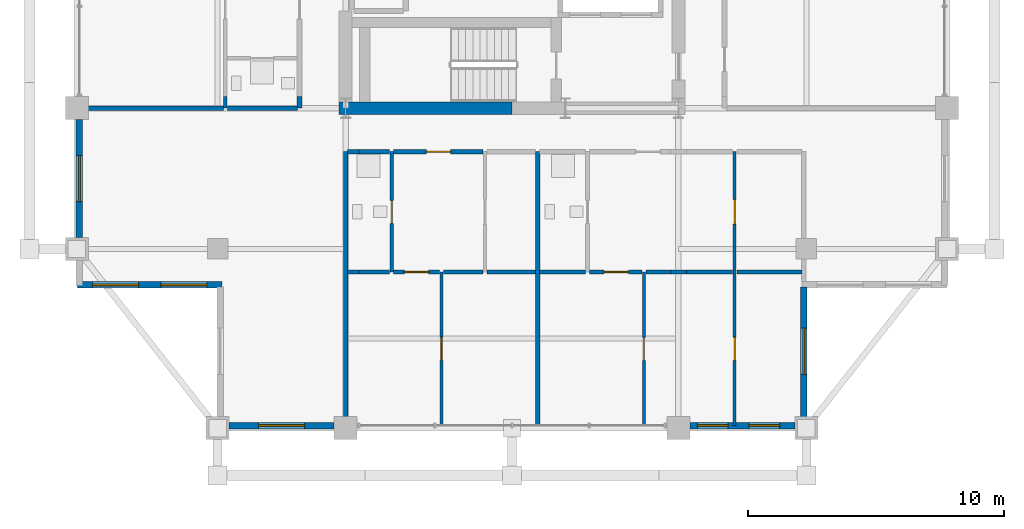
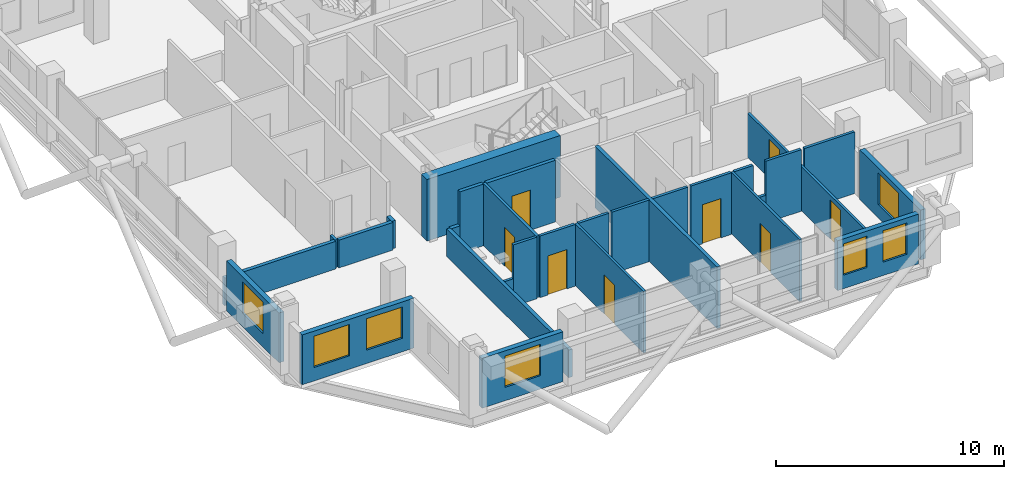
# One storey, part 19 of 25: 30 walls, 8 doors, 7 windows, 15 openings.
"""IFC4 building model written with IfcOpenShell, lengths in metres."""

import ifcopenshell
import ifcopenshell.guid

model = None  # the IFC model being written
_history = None  # IfcOwnerHistory: only IFC2X3 demands one
_inside = {}  # id of a spatial element -> (the spatial element, [elements in it])
_under = {}  # id of a project, library or spatial element -> (it, [spatial elements below it])
_declared = {}  # id of a project -> (the project, [libraries it declares])
_typed = {}  # id of a type object -> (the type object, [elements of that type])
_made_of = {}  # id of a material, layer set ... -> (it, [elements and type objects made of it])


def new_model(schema):
    """Start an empty IFC model of exactly this schema.

    Asked for "IFC4X3", IfcOpenShell would pick the latest addendum, in which some entities
    have other attributes; the version numbers below select the first issue.
    IFC2X3 requires an IfcOwnerHistory on every rooted entity: one is made here for all.
    """
    global model, _history
    if schema == "IFC4X3":
        model = ifcopenshell.file(schema_version=(4, 3, 0, 0))
    else:
        model = ifcopenshell.file(schema=schema)
    _inside.clear()
    _under.clear()
    _declared.clear()
    _typed.clear()
    _made_of.clear()
    _history = None
    if model.schema == "IFC2X3":
        org = make("IfcOrganization", Name="unknown")
        user = make(
            "IfcPersonAndOrganization",
            ThePerson=make("IfcPerson", FamilyName="unknown"),
            TheOrganization=org,
        )
        app = make(
            "IfcApplication",
            ApplicationDeveloper=org,
            Version="unknown",
            ApplicationFullName="unknown",
            ApplicationIdentifier="unknown",
        )
        _history = make(
            "IfcOwnerHistory",
            OwningUser=user,
            OwningApplication=app,
            ChangeAction="ADDED",
            CreationDate=0,
        )
    return model


def make(cls, **values):
    """One entity of the class cls with the attributes given. An attribute that is None is left unset."""
    return model.create_entity(
        cls, **{name: value for name, value in values.items() if value is not None}
    )


def rooted(cls, **values):
    """An entity with a GlobalId (a new one), such as an element, a storey or a relation."""
    return make(cls, GlobalId=ifcopenshell.guid.new(), OwnerHistory=_history, **values)


def si_unit(unit_type, name, prefix=None):
    """IfcSIUnit, for example si_unit("LENGTHUNIT", "METRE", prefix="MILLI")."""
    return make("IfcSIUnit", UnitType=unit_type, Prefix=prefix, Name=name)


def assignment(units):
    """IfcUnitAssignment: the units of a project."""
    return None if units is None else make("IfcUnitAssignment", Units=units)


def point(xyz):
    """IfcCartesianPoint."""
    return None if xyz is None else make("IfcCartesianPoint", Coordinates=xyz)


def direction(xyz):
    """IfcDirection."""
    return None if xyz is None else make("IfcDirection", DirectionRatios=xyz)


def frame(location, z_axis=None, x_axis=None):
    """IfcAxis2Placement3D, a coordinate frame: its origin and axes. An axis left out is left unset."""
    return make(
        "IfcAxis2Placement3D",
        Location=point(location),
        Axis=direction(z_axis),
        RefDirection=direction(x_axis),
    )


def frame_2d(location, x_axis=None):
    """IfcAxis2Placement2D, a coordinate frame in the plane: its origin and x axis."""
    return make(
        "IfcAxis2Placement2D", Location=point(location), RefDirection=direction(x_axis)
    )


def origin():
    """The frame at (0, 0, 0) with its axes left unset."""
    return frame((0.0, 0.0, 0.0))


def place(relative_to, where):
    """IfcLocalPlacement: puts the frame where relative to a parent placement (None: the world)."""
    return make(
        "IfcLocalPlacement", PlacementRelTo=relative_to, RelativePlacement=where
    )


def context(
    kind, dimensions, precision=None, world=None, true_north=None, identifier=None
):
    """IfcGeometricRepresentationContext, for example the 3D "Model" context."""
    return make(
        "IfcGeometricRepresentationContext",
        ContextIdentifier=identifier,
        ContextType=kind,
        CoordinateSpaceDimension=dimensions,
        Precision=precision,
        WorldCoordinateSystem=world,
        TrueNorth=true_north,
    )


def subcontext(parent, identifier, kind, view, scale=None):
    """IfcGeometricRepresentationSubContext, for example "Body" below "Model"."""
    return make(
        "IfcGeometricRepresentationSubContext",
        ContextIdentifier=identifier,
        ContextType=kind,
        ParentContext=parent,
        TargetScale=scale,
        TargetView=view,
    )


def project(units=None, contexts=None):
    """IfcProject with its units and contexts."""
    return rooted(
        "IfcProject",
        Name="project",
        RepresentationContexts=contexts,
        UnitsInContext=assignment(units),
    )


def spatial(cls, under=None, at=None, **own):
    """A site, building, storey or space (cls), placed at a placement, below another one or the project."""
    s = rooted(cls, ObjectPlacement=at, **own)
    if under is not None:
        _under.setdefault(under.id(), (under, []))[1].append(s)
    return s


def profile(cls, at=None, kind="AREA", **sizes):
    """A parametric profile (cls). Its sizes go by their IFC names, for example OverallWidth=200.0."""
    return make(cls, ProfileType=kind, Position=at, **sizes)


def rectangle(**sizes):
    """IfcRectangleProfileDef."""
    return profile("IfcRectangleProfileDef", **sizes)


def extrude(swept, where, along, depth):
    """IfcExtrudedAreaSolid: the profile swept, set in the frame where, extruded along a direction by depth."""
    return make(
        "IfcExtrudedAreaSolid",
        SweptArea=swept,
        Position=where,
        ExtrudedDirection=direction(along),
        Depth=depth,
    )


def shape(context_of_items, identifier, shape_type, items):
    """IfcShapeRepresentation: the items that make up one representation, for example the "Body"."""
    return make(
        "IfcShapeRepresentation",
        ContextOfItems=context_of_items,
        RepresentationIdentifier=identifier,
        RepresentationType=shape_type,
        Items=items,
    )


def material(Name=None, Category=None):
    """IfcMaterial."""
    return make("IfcMaterial", Name=Name, Category=Category)


def layer(
    of_material, thickness, ventilated=None, Name=None, Category=None, Priority=None
):
    """IfcMaterialLayer: one layer of a wall or slab, of a material (None: an air gap)."""
    return make(
        "IfcMaterialLayer",
        Material=of_material,
        LayerThickness=thickness,
        IsVentilated=ventilated,
        Name=Name,
        Category=Category,
        Priority=Priority,
    )


def layer_set(layers, Name=None):
    """IfcMaterialLayerSet."""
    return make("IfcMaterialLayerSet", MaterialLayers=layers, LayerSetName=Name)


def made_of(thing, what):
    """Note that an element or type object is made of a material, layer set ...; save() writes the relation."""
    if what is not None:
        _made_of.setdefault(what.id(), (what, []))[1].append(thing)
    return thing


def type_object(cls, material=None, **own):
    """A type object (cls), such as IfcWallType, which elements share."""
    return made_of(rooted(cls, **own), material)


def element(
    cls,
    number,
    at=None,
    inside=None,
    cuts=None,
    type_object=None,
    material=None,
    context=None,
    identifier="Body",
    shape_type=None,
    held_by="IfcProductDefinitionShape",
    body=None,
    shapes=None,
    **own,
):
    """One element of the class cls, such as IfcWall. Its Tag is "e" and its number.

    at: its placement. inside: the storey or other place that contains it. cuts: it is an
    opening in that element (IfcRelVoidsElement). A single representation is given by context,
    identifier, shape_type and body (its items); several are given by shapes. held_by: the class
    of the entity that holds the representations. save() writes the other relations.
    """
    e = rooted(cls, Tag="e%d" % number, ObjectPlacement=at, **own)
    if body is not None:
        shapes = [shape(context, identifier, shape_type, body)]
    if shapes is not None:
        e.Representation = make(held_by, Representations=shapes)
    if inside is not None:
        _inside.setdefault(inside.id(), (inside, []))[1].append(e)
    if cuts is not None:
        rooted(
            "IfcRelVoidsElement", RelatingBuildingElement=cuts, RelatedOpeningElement=e
        )
    if type_object is not None:
        _typed.setdefault(type_object.id(), (type_object, []))[1].append(e)
    return made_of(e, material)


def fill(opening, filler):
    """IfcRelFillsElement: the door or window that sits in an opening."""
    return rooted(
        "IfcRelFillsElement",
        RelatingOpeningElement=opening,
        RelatedBuildingElement=filler,
    )


def aggregate(whole, parts):
    """IfcRelAggregates: a whole, such as a stair, and the parts it consists of."""
    return rooted("IfcRelAggregates", RelatingObject=whole, RelatedObjects=parts)


def save(model, path):
    """Write the relations noted so far, then the file.

    IfcRelAggregates (storeys below a building ...), IfcRelContainedInSpatialStructure (elements
    in a storey), IfcRelDefinesByType, IfcRelAssociatesMaterial and IfcRelDeclares: one each for
    every whole, place, type object, material and project.
    """
    for whole, parts in _under.values():
        aggregate(whole, parts)
    for where, things in _inside.values():
        rooted(
            "IfcRelContainedInSpatialStructure",
            RelatedElements=things,
            RelatingStructure=where,
        )
    for kind, things in _typed.values():
        rooted("IfcRelDefinesByType", RelatedObjects=things, RelatingType=kind)
    for what, things in _made_of.values():
        rooted("IfcRelAssociatesMaterial", RelatedObjects=things, RelatingMaterial=what)
    for by, libraries in _declared.values():
        rooted("IfcRelDeclares", RelatingContext=by, RelatedDefinitions=libraries)
    model.write(path)


model = new_model("IFC4")

# Units and contexts
model_context = context("Model", 3, precision=1e-05, world=origin(), true_north=direction((0.0, 1.0)))
body_context = subcontext(model_context, "Body", "Model", "MODEL_VIEW")
ifc_project = project(units=[si_unit("LENGTHUNIT", "METRE"), si_unit("AREAUNIT", "SQUARE_METRE"), si_unit("VOLUMEUNIT", "CUBIC_METRE"), si_unit("PLANEANGLEUNIT", "RADIAN"), si_unit("MASSUNIT", "GRAM", prefix="KILO")], contexts=[model_context])

# Site, building, storey
site_placement = place(None, origin())
site = spatial("IfcSite", under=ifc_project, at=site_placement, CompositionType="ELEMENT")
building_placement = place(site_placement, origin())
building = spatial("IfcBuilding", under=site, at=building_placement, Name="Barlavira Tower and Art Museum", CompositionType="ELEMENT")
storey_placement = place(building_placement, frame((0.0, 0.0, 301.5)))
storey = spatial("IfcBuildingStorey", under=building, at=storey_placement, Name="L79", CompositionType="ELEMENT", Elevation=301.5)

# Wall, opening, door
ifc_material_1 = material(Name="Gypsum acoustic stud partition", Category="gypsum")
ifc_layer_1 = layer(ifc_material_1, 0.1201171875, Name="Gypsum acoustic stud partition")
ifc_layer_set_1 = layer_set([ifc_layer_1], Name="Gypsum acoustic stud partition")
wall_type_1 = type_object("IfcWallType", Name="Apartment Internal Acoustic Partition 120", PredefinedType="PARTITIONING", material=ifc_layer_set_1)
wall_1_placement = place(storey_placement, frame((-2.75, -19.89990234375, 0.0), z_axis=(0.0, 0.0, 1.0), x_axis=(0.0, 1.0, 0.0)))
wall_1 = element("IfcWall", 1, at=wall_1_placement, inside=storey, type_object=wall_type_1, Name="L79 Partition Wall 12", PredefinedType="PARTITIONING", context=body_context, shape_type="SweptSolid", body=[
    extrude(rectangle(XDim=6.0, YDim=0.1201171875, at=frame_2d((3.0, 0.0))), origin(), (0.0, 0.0, 1.0), 3.300048828125),
])
opening_1_placement = place(wall_1_placement, frame((2.550048828125, 0.0, 0.0)))
opening_1 = element("IfcOpeningElement", 2, at=opening_1_placement, cuts=wall_1, Name="Opening D-01", PredefinedType="OPENING", context=body_context, shape_type="SweptSolid", body=[
    extrude(rectangle(XDim=0.89990234375, YDim=2.10009765625, at=frame_2d((0.449951171875, 1.050048828125))), frame((0.0, 0.070068359375, 0.0), z_axis=(0.0, -1.0, 0.0), x_axis=(1.0, 0.0, 0.0)), (0.0, 0.0, 1.0), 0.14013671875),
])
ifc_material_2 = material(Name="Engineered coastal hardwood", Category="wood")
door_type_1 = type_object("IfcDoorType", Name="Internal Bedroom Timber Flush Door 900x2100", OperationType="NOTDEFINED", PredefinedType="DOOR", material=ifc_material_2)
door_1_placement = place(opening_1_placement, origin())
door_1 = element("IfcDoor", 3, at=door_1_placement, inside=storey, type_object=door_type_1, Name="Apartment S1 Bedroom 1 Door", OperationType="SINGLE_SWING_LEFT", OverallHeight=2.10009765625, OverallWidth=0.89990234375, PredefinedType="DOOR", context=body_context, shape_type="SweptSolid", body=[
    extrude(rectangle(XDim=0.89990234375, YDim=2.10009765625, at=frame_2d((0.449951171875, 1.050048828125))), frame((0.0, 0.02490234375, 0.0), z_axis=(0.0, -1.0, 0.0), x_axis=(1.0, 0.0, 0.0)), (0.0, 0.0, 1.0), 0.050048828125),
])
fill(opening_1, door_1)

wall_2_placement = place(storey_placement, frame((5.14990234375, -19.89990234375, 0.0), z_axis=(0.0, 0.0, 1.0), x_axis=(0.0, 1.0, 0.0)))
wall_2 = element("IfcWall", 4, at=wall_2_placement, inside=storey, type_object=wall_type_1, Name="L79 Partition Wall 19", PredefinedType="PARTITIONING", context=body_context, shape_type="SweptSolid", body=[
    extrude(rectangle(XDim=6.0, YDim=0.1201171875, at=frame_2d((3.0, 0.0))), origin(), (0.0, 0.0, 1.0), 3.300048828125),
])
opening_2_placement = place(wall_2_placement, frame((2.550048828125, 0.0, 0.0)))
opening_2 = element("IfcOpeningElement", 5, at=opening_2_placement, cuts=wall_2, Name="Opening D-01", PredefinedType="OPENING", context=body_context, shape_type="SweptSolid", body=[
    extrude(rectangle(XDim=0.89990234375, YDim=2.10009765625, at=frame_2d((0.449951171875, 1.050048828125))), frame((0.0, 0.070068359375, 0.0), z_axis=(0.0, -1.0, 0.0), x_axis=(1.0, 0.0, 0.0)), (0.0, 0.0, 1.0), 0.14013671875),
])
door_2_placement = place(opening_2_placement, origin())
door_2 = element("IfcDoor", 6, at=door_2_placement, inside=storey, type_object=door_type_1, Name="Apartment S2 Bedroom 1 Door", OperationType="SINGLE_SWING_RIGHT", OverallHeight=2.10009765625, OverallWidth=0.89990234375, PredefinedType="DOOR", context=body_context, shape_type="SweptSolid", body=[
    extrude(rectangle(XDim=0.89990234375, YDim=2.10009765625, at=frame_2d((0.449951171875, 1.050048828125))), frame((0.0, 0.02490234375, 0.0), z_axis=(0.0, -1.0, 0.0), x_axis=(1.0, 0.0, 0.0)), (0.0, 0.0, 1.0), 0.050048828125),
])
fill(opening_2, door_2)

# Wall, openings, doors
wall_3_placement = place(storey_placement, frame((8.699951171875, -19.89990234375, 0.0), z_axis=(0.0, 0.0, 1.0), x_axis=(0.0, 1.0, 0.0)))
wall_3 = element("IfcWall", 7, at=wall_3_placement, inside=storey, type_object=wall_type_1, Name="L79 Partition Wall 24", PredefinedType="PARTITIONING", context=body_context, shape_type="SweptSolid", body=[
    extrude(rectangle(XDim=10.699951171875, YDim=0.1201171875, at=frame_2d((5.35009765625, 0.0))), origin(), (0.0, 0.0, 1.0), 2.35302734375),
])
opening_3_placement = place(wall_3_placement, frame((7.875, 0.0, 0.0)))
opening_3 = element("IfcOpeningElement", 8, at=opening_3_placement, cuts=wall_3, Name="Opening D-02", PredefinedType="OPENING", context=body_context, shape_type="SweptSolid", body=[
    extrude(rectangle(XDim=0.949951171875, YDim=2.10009765625, at=frame_2d((0.47509765625, 1.050048828125))), frame((0.0, 0.070068359375, 0.0), z_axis=(0.0, -1.0, 0.0), x_axis=(1.0, 0.0, 0.0)), (0.0, 0.0, 1.0), 0.14013671875),
])
opening_4_placement = place(wall_3_placement, frame((2.550048828125, 0.0, 0.0)))
opening_4 = element("IfcOpeningElement", 9, at=opening_4_placement, cuts=wall_3, Name="Opening D-01", PredefinedType="OPENING", context=body_context, shape_type="SweptSolid", body=[
    extrude(rectangle(XDim=0.89990234375, YDim=2.10009765625, at=frame_2d((0.449951171875, 1.050048828125))), frame((0.0, 0.070068359375, 0.0), z_axis=(0.0, -1.0, 0.0), x_axis=(1.0, 0.0, 0.0)), (0.0, 0.0, 1.0), 0.14013671875),
])
door_3_placement = place(opening_4_placement, origin())
door_3 = element("IfcDoor", 10, at=door_3_placement, inside=storey, type_object=door_type_1, Name="Apartment S2 Bedroom 2 Door", OperationType="SINGLE_SWING_LEFT", OverallHeight=2.10009765625, OverallWidth=0.89990234375, PredefinedType="DOOR", context=body_context, shape_type="SweptSolid", body=[
    extrude(rectangle(XDim=0.89990234375, YDim=2.10009765625, at=frame_2d((0.449951171875, 1.050048828125))), frame((0.0, 0.02490234375, 0.0), z_axis=(0.0, -1.0, 0.0), x_axis=(1.0, 0.0, 0.0)), (0.0, 0.0, 1.0), 0.050048828125),
])
fill(opening_4, door_3)
door_type_2 = type_object("IfcDoorType", Name="Living and Salon Glazed-Leaf Door 950x2100", OperationType="NOTDEFINED", PredefinedType="DOOR", material=ifc_material_2)
door_4_placement = place(opening_3_placement, origin())
door_4 = element("IfcDoor", 11, at=door_4_placement, inside=storey, type_object=door_type_2, Name="Apartment S2 Kitchen Door", OperationType="SINGLE_SWING_RIGHT", OverallHeight=2.10009765625, OverallWidth=0.949951171875, PredefinedType="DOOR", context=body_context, shape_type="SweptSolid", body=[
    extrude(rectangle(XDim=0.949951171875, YDim=2.10009765625, at=frame_2d((0.47509765625, 1.050048828125))), frame((0.0, 0.02490234375, 0.0), z_axis=(0.0, -1.0, 0.0), x_axis=(1.0, 0.0, 0.0)), (0.0, 0.0, 1.0), 0.050048828125),
])
fill(opening_3, door_4)

# Walls
ifc_material_3 = material(Name="Concrete C60", Category="concrete")
ifc_layer_2 = layer(ifc_material_3, 0.5, Name="Concrete C60")
ifc_layer_set_2 = layer_set([ifc_layer_2], Name="Concrete C60")
wall_type_2 = type_object("IfcWallType", Name="Core Structural Shear Wall 500 Concrete C60", PredefinedType="SHEAR", material=ifc_layer_set_2)
wall_4_placement = place(storey_placement, frame((-6.75, -7.5, 0.0), z_axis=(0.0, 0.0, 1.0), x_axis=(1.0, 0.0, 0.0)))
element("IfcWall", 12, at=wall_4_placement, inside=storey, type_object=wall_type_2, Name="L79 Core Shear Wall CS-SW", PredefinedType="SHEAR", context=body_context, shape_type="SweptSolid", body=[
    extrude(rectangle(XDim=6.75, YDim=0.5, at=frame_2d((3.375, 0.0))), origin(), (0.0, 0.0, 1.0), 3.300048828125),
])
ifc_layer_3 = layer(ifc_material_1, 0.179931640625, Name="Gypsum acoustic stud partition")
ifc_layer_set_3 = layer_set([ifc_layer_3], Name="Gypsum acoustic stud partition")
wall_type_3 = type_object("IfcWallType", Name="Inter-Tenancy Party Partition Wall 180", PredefinedType="PARTITIONING", material=ifc_layer_set_3)
wall_5_placement = place(storey_placement, frame((-8.300048828125, -7.5, 0.0), z_axis=(0.0, 0.0, 1.0), x_axis=(0.0, 1.0, 0.0)))
element("IfcWall", 13, at=wall_5_placement, inside=storey, type_object=wall_type_3, Name="L79 Partition Wall 4", PredefinedType="PARTITIONING", context=body_context, shape_type="SweptSolid", body=[
    extrude(rectangle(XDim=0.449951171875, YDim=0.179931640625, at=frame_2d((0.22509765625, 0.0))), origin(), (0.0, 0.0, 1.0), 1.485107421875),
])
wall_6_placement = place(storey_placement, frame((-6.5, -19.89990234375, 0.0), z_axis=(0.0, 0.0, 1.0), x_axis=(0.0, 1.0, 0.0)))
element("IfcWall", 14, at=wall_6_placement, inside=storey, type_object=wall_type_3, Name="L79 Partition Wall 7", PredefinedType="PARTITIONING", context=body_context, shape_type="SweptSolid", body=[
    extrude(rectangle(XDim=10.699951171875, YDim=0.179931640625, at=frame_2d((5.35009765625, 0.0))), origin(), (0.0, 0.0, 1.0), 1.485107421875),
])
wall_7_placement = place(storey_placement, frame((1.0, -19.89990234375, 0.0), z_axis=(0.0, 0.0, 1.0), x_axis=(0.0, 1.0, 0.0)))
element("IfcWall", 15, at=wall_7_placement, inside=storey, type_object=wall_type_3, Name="L79 Partition Wall 14", PredefinedType="PARTITIONING", context=body_context, shape_type="SweptSolid", body=[
    extrude(rectangle(XDim=10.699951171875, YDim=0.179931640625, at=frame_2d((5.35009765625, 0.0))), origin(), (0.0, 0.0, 1.0), 3.300048828125),
])
wall_8_placement = place(storey_placement, frame((-6.419921875, -9.199951171875, 0.0), z_axis=(0.0, 0.0, 1.0), x_axis=(1.0, 0.0, 0.0)))
element("IfcWall", 16, at=wall_8_placement, inside=storey, type_object=wall_type_3, Name="L79 Partition Wall 41", PredefinedType="PARTITIONING", context=body_context, shape_type="SweptSolid", body=[
    extrude(rectangle(XDim=0.449951171875, YDim=0.179931640625, at=frame_2d((0.22509765625, 0.0))), origin(), (0.0, 0.0, 1.0), 1.485107421875),
])
wall_9_placement = place(storey_placement, frame((-5.969970703125, -9.199951171875, 0.0), z_axis=(0.0, 0.0, 1.0), x_axis=(1.0, 0.0, 0.0)))
element("IfcWall", 17, at=wall_9_placement, inside=storey, type_object=wall_type_3, Name="L79 Partition Wall 42", PredefinedType="PARTITIONING", context=body_context, shape_type="SweptSolid", body=[
    extrude(rectangle(XDim=1.18994140625, YDim=0.179931640625, at=frame_2d((0.594970703125, 0.0))), origin(), (0.0, 0.0, 1.0), 3.300048828125),
])

# Wall, opening, door
wall_10_placement = place(storey_placement, frame((-4.6201171875, -9.199951171875, 0.0), z_axis=(0.0, 0.0, 1.0), x_axis=(1.0, 0.0, 0.0)))
wall_10 = element("IfcWall", 18, at=wall_10_placement, inside=storey, type_object=wall_type_3, Name="L79 Partition Wall 43", PredefinedType="PARTITIONING", context=body_context, shape_type="SweptSolid", body=[
    extrude(rectangle(XDim=3.490234375, YDim=0.179931640625, at=frame_2d((1.7451171875, 0.0))), origin(), (0.0, 0.0, 1.0), 3.300048828125),
])
opening_5_placement = place(wall_10_placement, frame((1.27490234375, 0.0, 0.0)))
opening_5 = element("IfcOpeningElement", 19, at=opening_5_placement, cuts=wall_10, Name="Opening FD-60", PredefinedType="OPENING", context=body_context, shape_type="SweptSolid", body=[
    extrude(rectangle(XDim=0.949951171875, YDim=2.14990234375, at=frame_2d((0.47509765625, 1.074951171875))), frame((0.0, 0.10009765625, 0.0), z_axis=(0.0, -1.0, 0.0), x_axis=(1.0, 0.0, 0.0)), (0.0, 0.0, 1.0), 0.199951171875),
])
ifc_material_4 = material(Name="Brushed stainless steel", Category="steel")
door_type_3 = type_object("IfcDoorType", Name="Apartment Entrance and Riser Fire Door 950x2150 FD60S", OperationType="NOTDEFINED", PredefinedType="DOOR", material=ifc_material_4)
door_5_placement = place(opening_5_placement, origin())
door_5 = element("IfcDoor", 20, at=door_5_placement, inside=storey, type_object=door_type_3, Name="Apartment Entrance Hall S1 Door", OperationType="SINGLE_SWING_RIGHT", OverallHeight=2.14990234375, OverallWidth=0.949951171875, PredefinedType="DOOR", context=body_context, shape_type="SweptSolid", body=[
    extrude(rectangle(XDim=0.949951171875, YDim=2.14990234375, at=frame_2d((0.47509765625, 1.074951171875))), frame((0.0, 0.02490234375, 0.0), z_axis=(0.0, -1.0, 0.0), x_axis=(1.0, 0.0, 0.0)), (0.0, 0.0, 1.0), 0.050048828125),
])
fill(opening_5, door_5)

# Walls
wall_11_placement = place(storey_placement, frame((-16.89990234375, -7.5, 0.0), z_axis=(0.0, 0.0, 1.0), x_axis=(1.0, 0.0, 0.0)))
element("IfcWall", 21, at=wall_11_placement, inside=storey, type_object=wall_type_3, Name="L79 Partition Wall 50", PredefinedType="PARTITIONING", context=body_context, shape_type="SweptSolid", body=[
    extrude(rectangle(XDim=5.619873046875, YDim=0.179931640625, at=frame_2d((2.81005859375, 0.0))), origin(), (0.0, 0.0, 1.0), 1.485107421875),
])
wall_12_placement = place(storey_placement, frame((-11.1201171875, -7.5, 0.0), z_axis=(0.0, 0.0, 1.0), x_axis=(1.0, 0.0, 0.0)))
element("IfcWall", 22, at=wall_12_placement, inside=storey, type_object=wall_type_3, Name="L79 Partition Wall 51", PredefinedType="PARTITIONING", context=body_context, shape_type="SweptSolid", body=[
    extrude(rectangle(XDim=2.740234375, YDim=0.179931640625, at=frame_2d((1.3701171875, 0.0))), origin(), (0.0, 0.0, 1.0), 1.485107421875),
])
ifc_layer_4 = layer(ifc_material_1, 0.139892578125, Name="Gypsum acoustic stud partition")
ifc_layer_set_4 = layer_set([ifc_layer_4], Name="Gypsum acoustic stud partition")
wall_type_4 = type_object("IfcWallType", Name="Moisture-Resistant Bathroom Partition 140", PredefinedType="PARTITIONING", material=ifc_layer_set_4)
wall_13_placement = place(storey_placement, frame((-11.199951171875, -7.5, 0.0), z_axis=(0.0, 0.0, 1.0), x_axis=(0.0, 1.0, 0.0)))
element("IfcWall", 23, at=wall_13_placement, inside=storey, type_object=wall_type_4, Name="L79 Partition Wall 1", PredefinedType="PARTITIONING", context=body_context, shape_type="SweptSolid", body=[
    extrude(rectangle(XDim=0.449951171875, YDim=0.139892578125, at=frame_2d((0.22509765625, 0.0))), origin(), (0.0, 0.0, 1.0), 1.485107421875),
])

# Wall, opening, door
wall_14_placement = place(storey_placement, frame((-4.699951171875, -13.89990234375, 0.0), z_axis=(0.0, 0.0, 1.0), x_axis=(0.0, 1.0, 0.0)))
wall_14 = element("IfcWall", 24, at=wall_14_placement, inside=storey, type_object=wall_type_4, Name="L79 Partition Wall 10", PredefinedType="PARTITIONING", context=body_context, shape_type="SweptSolid", body=[
    extrude(rectangle(XDim=4.699951171875, YDim=0.139892578125, at=frame_2d((2.35009765625, 0.0))), origin(), (0.0, 0.0, 1.0), 3.300048828125),
])
opening_6_placement = place(wall_14_placement, frame((1.89990234375, 0.0, 0.0)))
opening_6 = element("IfcOpeningElement", 25, at=opening_6_placement, cuts=wall_14, Name="Opening D-WC", PredefinedType="OPENING", context=body_context, shape_type="SweptSolid", body=[
    extrude(rectangle(XDim=0.89990234375, YDim=2.10009765625, at=frame_2d((0.449951171875, 1.050048828125))), frame((0.0, 0.080078125, 0.0), z_axis=(0.0, -1.0, 0.0), x_axis=(1.0, 0.0, 0.0)), (0.0, 0.0, 1.0), 0.159912109375),
])
door_type_4 = type_object("IfcDoorType", Name="Accessible Bathroom Flush Door 900x2100", OperationType="NOTDEFINED", PredefinedType="DOOR", material=ifc_material_2)
door_6_placement = place(opening_6_placement, origin())
door_6 = element("IfcDoor", 26, at=door_6_placement, inside=storey, type_object=door_type_4, Name="Apartment S1 Hall Bathroom Door", OperationType="SINGLE_SWING_LEFT", OverallHeight=2.10009765625, OverallWidth=0.89990234375, PredefinedType="DOOR", context=body_context, shape_type="SweptSolid", body=[
    extrude(rectangle(XDim=0.89990234375, YDim=2.10009765625, at=frame_2d((0.449951171875, 1.050048828125))), frame((0.0, 0.02490234375, 0.0), z_axis=(0.0, -1.0, 0.0), x_axis=(1.0, 0.0, 0.0)), (0.0, 0.0, 1.0), 0.050048828125),
])
fill(opening_6, door_6)

# Walls
wall_15_placement = place(storey_placement, frame((-6.419921875, -13.89990234375, 0.0), z_axis=(0.0, 0.0, 1.0), x_axis=(1.0, 0.0, 0.0)))
element("IfcWall", 27, at=wall_15_placement, inside=storey, type_object=wall_type_4, Name="L79 Partition Wall 30", PredefinedType="PARTITIONING", context=body_context, shape_type="SweptSolid", body=[
    extrude(rectangle(XDim=0.449951171875, YDim=0.139892578125, at=frame_2d((0.22509765625, 0.0))), origin(), (0.0, 0.0, 1.0), 1.485107421875),
])
wall_16_placement = place(storey_placement, frame((-5.969970703125, -13.89990234375, 0.0), z_axis=(0.0, 0.0, 1.0), x_axis=(1.0, 0.0, 0.0)))
element("IfcWall", 28, at=wall_16_placement, inside=storey, type_object=wall_type_4, Name="L79 Partition Wall 31", PredefinedType="PARTITIONING", context=body_context, shape_type="SweptSolid", body=[
    extrude(rectangle(XDim=1.18994140625, YDim=0.139892578125, at=frame_2d((0.594970703125, 0.0))), origin(), (0.0, 0.0, 1.0), 3.300048828125),
])

# Wall, opening, door
wall_17_placement = place(storey_placement, frame((-4.6201171875, -13.89990234375, 0.0), z_axis=(0.0, 0.0, 1.0), x_axis=(1.0, 0.0, 0.0)))
wall_17 = element("IfcWall", 29, at=wall_17_placement, inside=storey, type_object=wall_type_4, Name="L79 Partition Wall 32", PredefinedType="PARTITIONING", context=body_context, shape_type="SweptSolid", body=[
    extrude(rectangle(XDim=1.7900390625, YDim=0.139892578125, at=frame_2d((0.89501953125, 0.0))), origin(), (0.0, 0.0, 1.0), 3.300048828125),
])
opening_7_placement = place(wall_17_placement, frame((0.4150390625, 0.0, 0.0)))
opening_7 = element("IfcOpeningElement", 30, at=opening_7_placement, cuts=wall_17, Name="Opening D-02", PredefinedType="OPENING", context=body_context, shape_type="SweptSolid", body=[
    extrude(rectangle(XDim=0.949951171875, YDim=2.10009765625, at=frame_2d((0.47509765625, 1.050048828125))), frame((0.0, 0.080078125, 0.0), z_axis=(0.0, -1.0, 0.0), x_axis=(1.0, 0.0, 0.0)), (0.0, 0.0, 1.0), 0.159912109375),
])
door_7_placement = place(opening_7_placement, origin())
door_7 = element("IfcDoor", 31, at=door_7_placement, inside=storey, type_object=door_type_2, Name="Apartment S1 Living Lounge Door", OperationType="SINGLE_SWING_RIGHT", OverallHeight=2.10009765625, OverallWidth=0.949951171875, PredefinedType="DOOR", context=body_context, shape_type="SweptSolid", body=[
    extrude(rectangle(XDim=0.949951171875, YDim=2.10009765625, at=frame_2d((0.47509765625, 1.050048828125))), frame((0.0, 0.02490234375, 0.0), z_axis=(0.0, -1.0, 0.0), x_axis=(1.0, 0.0, 0.0)), (0.0, 0.0, 1.0), 0.050048828125),
])
fill(opening_7, door_7)

# Walls
wall_18_placement = place(storey_placement, frame((-2.669921875, -13.89990234375, 0.0), z_axis=(0.0, 0.0, 1.0), x_axis=(1.0, 0.0, 0.0)))
element("IfcWall", 32, at=wall_18_placement, inside=storey, type_object=wall_type_4, Name="L79 Partition Wall 33", PredefinedType="PARTITIONING", context=body_context, shape_type="SweptSolid", body=[
    extrude(rectangle(XDim=1.5400390625, YDim=0.139892578125, at=frame_2d((0.77001953125, 0.0))), origin(), (0.0, 0.0, 1.0), 3.300048828125),
])
wall_19_placement = place(storey_placement, frame((-0.969970703125, -13.89990234375, 0.0), z_axis=(0.0, 0.0, 1.0), x_axis=(1.0, 0.0, 0.0)))
element("IfcWall", 33, at=wall_19_placement, inside=storey, type_object=wall_type_4, Name="L79 Partition Wall 34", PredefinedType="PARTITIONING", context=body_context, shape_type="SweptSolid", body=[
    extrude(rectangle(XDim=1.889892578125, YDim=0.139892578125, at=frame_2d((0.94482421875, 0.0))), origin(), (0.0, 0.0, 1.0), 3.300048828125),
])
wall_20_placement = place(storey_placement, frame((1.080078125, -13.89990234375, 0.0), z_axis=(0.0, 0.0, 1.0), x_axis=(1.0, 0.0, 0.0)))
element("IfcWall", 34, at=wall_20_placement, inside=storey, type_object=wall_type_4, Name="L79 Partition Wall 35", PredefinedType="PARTITIONING", context=body_context, shape_type="SweptSolid", body=[
    extrude(rectangle(XDim=1.7900390625, YDim=0.139892578125, at=frame_2d((0.89501953125, 0.0))), origin(), (0.0, 0.0, 1.0), 3.300048828125),
])

# Wall, opening, door
wall_21_placement = place(storey_placement, frame((3.030029296875, -13.89990234375, 0.0), z_axis=(0.0, 0.0, 1.0), x_axis=(1.0, 0.0, 0.0)))
wall_21 = element("IfcWall", 35, at=wall_21_placement, inside=storey, type_object=wall_type_4, Name="L79 Partition Wall 36", PredefinedType="PARTITIONING", context=body_context, shape_type="SweptSolid", body=[
    extrude(rectangle(XDim=2.0400390625, YDim=0.139892578125, at=frame_2d((1.02001953125, 0.0))), origin(), (0.0, 0.0, 1.0), 3.300048828125),
])
opening_8_placement = place(wall_21_placement, frame((0.56494140625, 0.0, 0.0)))
opening_8 = element("IfcOpeningElement", 36, at=opening_8_placement, cuts=wall_21, Name="Opening D-02", PredefinedType="OPENING", context=body_context, shape_type="SweptSolid", body=[
    extrude(rectangle(XDim=0.949951171875, YDim=2.10009765625, at=frame_2d((0.47509765625, 1.050048828125))), frame((0.0, 0.080078125, 0.0), z_axis=(0.0, -1.0, 0.0), x_axis=(1.0, 0.0, 0.0)), (0.0, 0.0, 1.0), 0.159912109375),
])
door_8_placement = place(opening_8_placement, origin())
door_8 = element("IfcDoor", 37, at=door_8_placement, inside=storey, type_object=door_type_2, Name="Apartment S2 Living Lounge Door", OperationType="SINGLE_SWING_LEFT", OverallHeight=2.10009765625, OverallWidth=0.949951171875, PredefinedType="DOOR", context=body_context, shape_type="SweptSolid", body=[
    extrude(rectangle(XDim=0.949951171875, YDim=2.10009765625, at=frame_2d((0.47509765625, 1.050048828125))), frame((0.0, 0.02490234375, 0.0), z_axis=(0.0, -1.0, 0.0), x_axis=(1.0, 0.0, 0.0)), (0.0, 0.0, 1.0), 0.050048828125),
])
fill(opening_8, door_8)

# Walls
wall_22_placement = place(storey_placement, frame((5.22998046875, -13.89990234375, 0.0), z_axis=(0.0, 0.0, 1.0), x_axis=(1.0, 0.0, 0.0)))
element("IfcWall", 38, at=wall_22_placement, inside=storey, type_object=wall_type_4, Name="L79 Partition Wall 37", PredefinedType="PARTITIONING", context=body_context, shape_type="SweptSolid", body=[
    extrude(rectangle(XDim=0.955078125, YDim=0.139892578125, at=frame_2d((0.4775390625, 0.0))), origin(), (0.0, 0.0, 1.0), 3.300048828125),
])
wall_23_placement = place(storey_placement, frame((6.18505859375, -13.89990234375, 0.0), z_axis=(0.0, 0.0, 1.0), x_axis=(1.0, 0.0, 0.0)))
element("IfcWall", 39, at=wall_23_placement, inside=storey, type_object=wall_type_4, Name="L79 Partition Wall 38", PredefinedType="PARTITIONING", context=body_context, shape_type="SweptSolid", body=[
    extrude(rectangle(XDim=0.6298828125, YDim=0.139892578125, at=frame_2d((0.31494140625, 0.0))), origin(), (0.0, 0.0, 1.0), 1.485107421875),
])
wall_24_placement = place(storey_placement, frame((6.81494140625, -13.89990234375, 0.0), z_axis=(0.0, 0.0, 1.0), x_axis=(1.0, 0.0, 0.0)))
element("IfcWall", 40, at=wall_24_placement, inside=storey, type_object=wall_type_4, Name="L79 Partition Wall 39", PredefinedType="PARTITIONING", context=body_context, shape_type="SweptSolid", body=[
    extrude(rectangle(XDim=1.80517578125, YDim=0.139892578125, at=frame_2d((0.902587890625, 0.0))), origin(), (0.0, 0.0, 1.0), 3.300048828125),
])
wall_25_placement = place(storey_placement, frame((8.780029296875, -13.89990234375, 0.0), z_axis=(0.0, 0.0, 1.0), x_axis=(1.0, 0.0, 0.0)))
element("IfcWall", 41, at=wall_25_placement, inside=storey, type_object=wall_type_4, Name="L79 Partition Wall 40", PredefinedType="PARTITIONING", context=body_context, shape_type="SweptSolid", body=[
    extrude(rectangle(XDim=2.5400390625, YDim=0.139892578125, at=frame_2d((1.27001953125, 0.0))), origin(), (0.0, 0.0, 1.0), 3.300048828125),
])

# Wall, opening, window
ifc_material_5 = material(Name="Precast concrete C40", Category="concrete")
ifc_layer_5 = layer(ifc_material_5, 0.25, Name="Precast concrete C40")
ifc_layer_set_5 = layer_set([ifc_layer_5], Name="Precast concrete C40")
wall_type_5 = type_object("IfcWallType", Name="Notched Corner Spandrel Wall 250 Precast Concrete C40", PredefinedType="SOLIDWALL", material=ifc_layer_set_5)
wall_26_placement = place(storey_placement, frame((-11.054931640625, -19.89990234375, 0.0), z_axis=(0.0, 0.0, 1.0), x_axis=(1.0, 0.0, 0.0)))
wall_26 = element("IfcWall", 42, at=wall_26_placement, inside=storey, type_object=wall_type_5, Name="L79 Coastal Facade Pier Wall CW4-L79-S-1", PredefinedType="SOLIDWALL", context=body_context, shape_type="SweptSolid", body=[
    extrude(rectangle(XDim=4.10986328125, YDim=0.25, at=frame_2d((2.054931640625, 0.0))), origin(), (0.0, 0.0, 1.0), 2.66796875),
])
opening_9_placement = place(wall_26_placement, frame((1.155029296875, 0.0, 0.719970703125)))
opening_9 = element("IfcOpeningElement", 43, at=opening_9_placement, cuts=wall_26, Name="Opening WN-01", PredefinedType="OPENING", context=body_context, shape_type="SweptSolid", body=[
    extrude(rectangle(XDim=1.800048828125, YDim=1.679931640625, at=frame_2d((0.89990234375, 0.83984375))), frame((0.0, 0.135009765625, 0.0), z_axis=(0.0, -1.0, 0.0), x_axis=(1.0, 0.0, 0.0)), (0.0, 0.0, 1.0), 0.27001953125),
])
ifc_material_6 = material(Name="Low-iron coastal laminated glass", Category="glass")
window_type_1 = type_object("IfcWindowType", Name="Recessed Notch Corner Punch Window 1800x1680", PartitioningType="SINGLE_PANEL", PredefinedType="WINDOW", material=ifc_material_6)
window_1_placement = place(opening_9_placement, origin())
window_1 = element("IfcWindow", 44, at=window_1_placement, inside=storey, type_object=window_type_1, Name="L79 Punched Facade Window EWP-CW4-L79-S-1-1", OverallHeight=1.679931640625, OverallWidth=1.800048828125, PartitioningType="SINGLE_PANEL", PredefinedType="WINDOW", context=body_context, shape_type="SweptSolid", body=[
    extrude(rectangle(XDim=1.800048828125, YDim=1.679931640625, at=frame_2d((0.89990234375, 0.83984375))), frame((0.0, 0.030029296875, 0.0), z_axis=(0.0, -1.0, 0.0), x_axis=(1.0, 0.0, 0.0)), (0.0, 0.0, 1.0), 0.06005859375),
])
fill(opening_9, window_1)

# Wall, openings, windows
wall_27_placement = place(storey_placement, frame((6.945068359375, -19.89990234375, 0.0), z_axis=(0.0, 0.0, 1.0), x_axis=(1.0, 0.0, 0.0)))
wall_27 = element("IfcWall", 45, at=wall_27_placement, inside=storey, type_object=wall_type_5, Name="L79 Coastal Facade Pier Wall CW4-L79-S-3", PredefinedType="SOLIDWALL", context=body_context, shape_type="SweptSolid", body=[
    extrude(rectangle(XDim=4.10986328125, YDim=0.25, at=frame_2d((2.054931640625, 0.0))), origin(), (0.0, 0.0, 1.0), 2.66796875),
])
opening_10_placement = place(wall_27_placement, frame((0.300048828125, 0.0, 0.719970703125)))
opening_10 = element("IfcOpeningElement", 46, at=opening_10_placement, cuts=wall_27, Name="Opening WN-05", PredefinedType="OPENING", context=body_context, shape_type="SweptSolid", body=[
    extrude(rectangle(XDim=1.199951171875, YDim=1.679931640625, at=frame_2d((0.60009765625, 0.83984375))), frame((0.0, 0.135009765625, 0.0), z_axis=(0.0, -1.0, 0.0), x_axis=(1.0, 0.0, 0.0)), (0.0, 0.0, 1.0), 0.27001953125),
])
opening_11_placement = place(wall_27_placement, frame((2.31005859375, 0.0, 0.719970703125)))
opening_11 = element("IfcOpeningElement", 47, at=opening_11_placement, cuts=wall_27, Name="Opening WN-05", PredefinedType="OPENING", context=body_context, shape_type="SweptSolid", body=[
    extrude(rectangle(XDim=1.199951171875, YDim=1.679931640625, at=frame_2d((0.60009765625, 0.83984375))), frame((0.0, 0.135009765625, 0.0), z_axis=(0.0, -1.0, 0.0), x_axis=(1.0, 0.0, 0.0)), (0.0, 0.0, 1.0), 0.27001953125),
])
window_type_2 = type_object("IfcWindowType", Name="Recessed Flank Pier Punch Window 1200x1680", PartitioningType="SINGLE_PANEL", PredefinedType="WINDOW", material=ifc_material_6)
window_2_placement = place(opening_10_placement, origin())
window_2 = element("IfcWindow", 48, at=window_2_placement, inside=storey, type_object=window_type_2, Name="L79 Punched Facade Window EWP-CW4-L79-S-3-1", OverallHeight=1.679931640625, OverallWidth=1.199951171875, PartitioningType="SINGLE_PANEL", PredefinedType="WINDOW", context=body_context, shape_type="SweptSolid", body=[
    extrude(rectangle(XDim=1.199951171875, YDim=1.679931640625, at=frame_2d((0.60009765625, 0.83984375))), frame((0.0, 0.030029296875, 0.0), z_axis=(0.0, -1.0, 0.0), x_axis=(1.0, 0.0, 0.0)), (0.0, 0.0, 1.0), 0.06005859375),
])
fill(opening_10, window_2)
window_3_placement = place(opening_11_placement, origin())
window_3 = element("IfcWindow", 49, at=window_3_placement, inside=storey, type_object=window_type_2, Name="L79 Punched Facade Window EWP-CW4-L79-S-3-2", OverallHeight=1.679931640625, OverallWidth=1.199951171875, PartitioningType="SINGLE_PANEL", PredefinedType="WINDOW", context=body_context, shape_type="SweptSolid", body=[
    extrude(rectangle(XDim=1.199951171875, YDim=1.679931640625, at=frame_2d((0.60009765625, 0.83984375))), frame((0.0, 0.030029296875, 0.0), z_axis=(0.0, -1.0, 0.0), x_axis=(1.0, 0.0, 0.0)), (0.0, 0.0, 1.0), 0.06005859375),
])
fill(opening_11, window_3)

# Wall, opening, window
wall_28_placement = place(storey_placement, frame((-16.89990234375, -7.945068359375, 0.0), z_axis=(0.0, 0.0, 1.0), x_axis=(0.0, -1.0, 0.0)))
wall_28 = element("IfcWall", 50, at=wall_28_placement, inside=storey, type_object=wall_type_5, Name="L79 Coastal Facade Pier Wall CW4-L79-W-4", PredefinedType="SOLIDWALL", context=body_context, shape_type="SweptSolid", body=[
    extrude(rectangle(XDim=4.60986328125, YDim=0.25, at=frame_2d((2.304931640625, 0.0))), origin(), (0.0, 0.0, 1.0), 2.66796875),
])
opening_12_placement = place(wall_28_placement, frame((1.405029296875, 0.0, 0.719970703125)))
opening_12 = element("IfcOpeningElement", 51, at=opening_12_placement, cuts=wall_28, Name="Opening WN-01", PredefinedType="OPENING", context=body_context, shape_type="SweptSolid", body=[
    extrude(rectangle(XDim=1.800048828125, YDim=1.679931640625, at=frame_2d((0.89990234375, 0.83984375))), frame((0.0, 0.135009765625, 0.0), z_axis=(0.0, -1.0, 0.0), x_axis=(1.0, 0.0, 0.0)), (0.0, 0.0, 1.0), 0.27001953125),
])
window_4_placement = place(opening_12_placement, origin())
window_4 = element("IfcWindow", 52, at=window_4_placement, inside=storey, type_object=window_type_1, Name="L79 Punched Facade Window EWP-CW4-L79-W-4-1", OverallHeight=1.679931640625, OverallWidth=1.800048828125, PartitioningType="SINGLE_PANEL", PredefinedType="WINDOW", context=body_context, shape_type="SweptSolid", body=[
    extrude(rectangle(XDim=1.800048828125, YDim=1.679931640625, at=frame_2d((0.89990234375, 0.83984375))), frame((0.0, 0.030029296875, 0.0), z_axis=(0.0, -1.0, 0.0), x_axis=(1.0, 0.0, 0.0)), (0.0, 0.0, 1.0), 0.06005859375),
])
fill(opening_12, window_4)

# Wall, openings, windows
wall_29_placement = place(storey_placement, frame((-16.97998046875, -14.39990234375, 0.0), z_axis=(0.0, 0.0, 1.0), x_axis=(1.0, 0.0, 0.0)))
wall_29 = element("IfcWall", 53, at=wall_29_placement, inside=storey, type_object=wall_type_5, Name="L79 Notch Corner Wall SW1", PredefinedType="SOLIDWALL", context=body_context, shape_type="SweptSolid", body=[
    extrude(rectangle(XDim=5.659912109375, YDim=0.25, at=frame_2d((2.830078125, 0.0))), origin(), (0.0, 0.0, 1.0), 2.66796875),
])
opening_13_placement = place(wall_29_placement, frame((0.594970703125, 0.0, 0.719970703125)))
opening_13 = element("IfcOpeningElement", 54, at=opening_13_placement, cuts=wall_29, Name="Opening WN-01", PredefinedType="OPENING", context=body_context, shape_type="SweptSolid", body=[
    extrude(rectangle(XDim=1.800048828125, YDim=1.679931640625, at=frame_2d((0.89990234375, 0.83984375))), frame((0.0, 0.135009765625, 0.0), z_axis=(0.0, -1.0, 0.0), x_axis=(1.0, 0.0, 0.0)), (0.0, 0.0, 1.0), 0.27001953125),
])
opening_14_placement = place(wall_29_placement, frame((3.264892578125, 0.0, 0.719970703125)))
opening_14 = element("IfcOpeningElement", 55, at=opening_14_placement, cuts=wall_29, Name="Opening WN-01", PredefinedType="OPENING", context=body_context, shape_type="SweptSolid", body=[
    extrude(rectangle(XDim=1.800048828125, YDim=1.679931640625, at=frame_2d((0.89990234375, 0.83984375))), frame((0.0, 0.135009765625, 0.0), z_axis=(0.0, -1.0, 0.0), x_axis=(1.0, 0.0, 0.0)), (0.0, 0.0, 1.0), 0.27001953125),
])
window_5_placement = place(opening_13_placement, origin())
window_5 = element("IfcWindow", 56, at=window_5_placement, inside=storey, type_object=window_type_1, Name="L79 Punched Facade Window EW-NTC-L79-SW1-1", OverallHeight=1.679931640625, OverallWidth=1.800048828125, PartitioningType="SINGLE_PANEL", PredefinedType="WINDOW", context=body_context, shape_type="SweptSolid", body=[
    extrude(rectangle(XDim=1.800048828125, YDim=1.679931640625, at=frame_2d((0.89990234375, 0.83984375))), frame((0.0, 0.030029296875, 0.0), z_axis=(0.0, -1.0, 0.0), x_axis=(1.0, 0.0, 0.0)), (0.0, 0.0, 1.0), 0.06005859375),
])
fill(opening_13, window_5)
window_6_placement = place(opening_14_placement, origin())
window_6 = element("IfcWindow", 57, at=window_6_placement, inside=storey, type_object=window_type_1, Name="L79 Punched Facade Window EW-NTC-L79-SW1-2", OverallHeight=1.679931640625, OverallWidth=1.800048828125, PartitioningType="SINGLE_PANEL", PredefinedType="WINDOW", context=body_context, shape_type="SweptSolid", body=[
    extrude(rectangle(XDim=1.800048828125, YDim=1.679931640625, at=frame_2d((0.89990234375, 0.83984375))), frame((0.0, 0.030029296875, 0.0), z_axis=(0.0, -1.0, 0.0), x_axis=(1.0, 0.0, 0.0)), (0.0, 0.0, 1.0), 0.06005859375),
])
fill(opening_14, window_6)

# Wall, opening, window
wall_30_placement = place(storey_placement, frame((11.39990234375, -19.820068359375, 0.0), z_axis=(0.0, 0.0, 1.0), x_axis=(0.0, 1.0, 0.0)))
wall_30 = element("IfcWall", 58, at=wall_30_placement, inside=storey, type_object=wall_type_5, Name="L79 Notch Corner Wall SE1", PredefinedType="SOLIDWALL", context=body_context, shape_type="SweptSolid", body=[
    extrude(rectangle(XDim=5.340087890625, YDim=0.25, at=frame_2d((2.669921875, 0.0))), origin(), (0.0, 0.0, 1.0), 2.66796875),
])
opening_15_placement = place(wall_30_placement, frame((1.925048828125, 0.0, 0.719970703125)))
opening_15 = element("IfcOpeningElement", 59, at=opening_15_placement, cuts=wall_30, Name="Opening WN-01", PredefinedType="OPENING", context=body_context, shape_type="SweptSolid", body=[
    extrude(rectangle(XDim=1.800048828125, YDim=1.679931640625, at=frame_2d((0.89990234375, 0.83984375))), frame((0.0, 0.135009765625, 0.0), z_axis=(0.0, -1.0, 0.0), x_axis=(1.0, 0.0, 0.0)), (0.0, 0.0, 1.0), 0.27001953125),
])
window_7_placement = place(opening_15_placement, origin())
window_7 = element("IfcWindow", 60, at=window_7_placement, inside=storey, type_object=window_type_1, Name="L79 Punched Facade Window EW-NTC-L79-SE1-1", OverallHeight=1.679931640625, OverallWidth=1.800048828125, PartitioningType="SINGLE_PANEL", PredefinedType="WINDOW", context=body_context, shape_type="SweptSolid", body=[
    extrude(rectangle(XDim=1.800048828125, YDim=1.679931640625, at=frame_2d((0.89990234375, 0.83984375))), frame((0.0, 0.030029296875, 0.0), z_axis=(0.0, -1.0, 0.0), x_axis=(1.0, 0.0, 0.0)), (0.0, 0.0, 1.0), 0.06005859375),
])
fill(opening_15, window_7)

save(model, "model.ifc")
